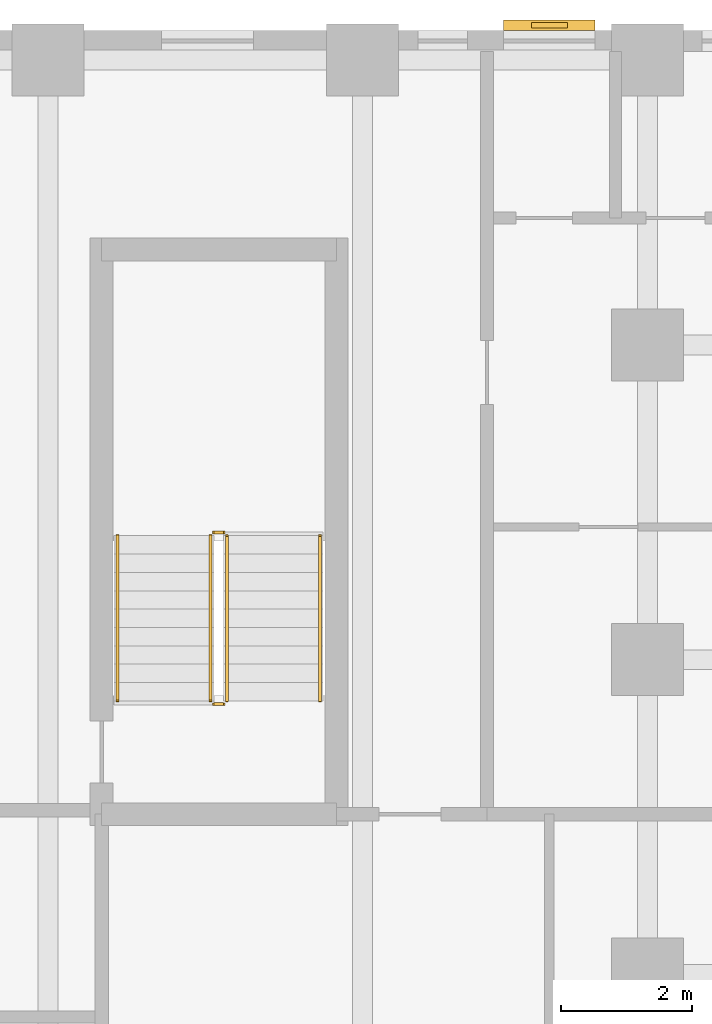
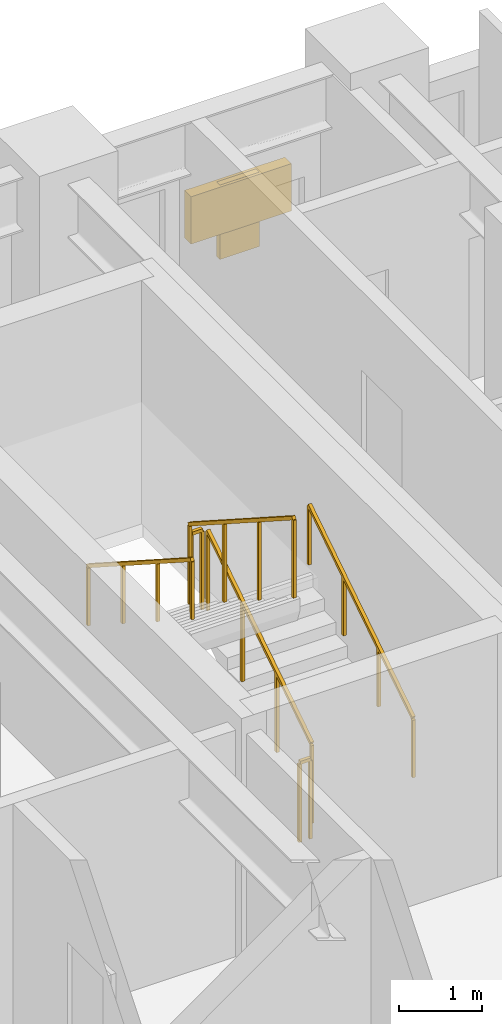
# One storey, part 11 of 11: 6 railings, 2 shading devices.
"""IFC4 building model written with IfcOpenShell, lengths in metres."""

from ifc_helpers import new_model, si_unit, direction, frame, origin, origin_2d, place, context, subcontext, project, spatial, rectangle, extrude, material, type_object, element, save


model = new_model("IFC4")

# Units and contexts
model_context = context("Model", 3, precision=1e-05, world=origin(), true_north=direction((0.0, 1.0)))
body_context = subcontext(model_context, "Body", "Model", "MODEL_VIEW")
ifc_project = project(units=[si_unit("LENGTHUNIT", "METRE"), si_unit("AREAUNIT", "SQUARE_METRE"), si_unit("VOLUMEUNIT", "CUBIC_METRE"), si_unit("PLANEANGLEUNIT", "RADIAN"), si_unit("MASSUNIT", "GRAM", prefix="KILO")], contexts=[model_context])

# Site, building, storey
site_placement = place(None, origin())
site = spatial("IfcSite", under=ifc_project, at=site_placement, CompositionType="ELEMENT")
building_placement = place(site_placement, origin())
building = spatial("IfcBuilding", under=site, at=building_placement, Name="Orvandelia Arch Residences", CompositionType="ELEMENT")
storey_placement = place(building_placement, frame((0.0, 0.0, 46.60009765625)))
storey = spatial("IfcBuildingStorey", under=building, at=storey_placement, Name="L11", CompositionType="ELEMENT", Elevation=46.60009765625)

# Railings
ifc_material_1 = material(Name="Brushed Stainless Steel 304", Category="steel")
railing_type_1 = type_object("IfcRailingType", Name="RL-STAIR-GD1120", PredefinedType="GUARDRAIL", material=ifc_material_1)
railing_1_placement = place(storey_placement, frame((45.929931640625, 37.77001953125, 0.179931640625)))
element("IfcRailing", 1, at=railing_1_placement, inside=storey, type_object=railing_type_1, Name="L11 ST-3 stair guard 1", PredefinedType="GUARDRAIL", context=body_context, shape_type="SweptSolid", body=[
    extrude(rectangle(XDim=0.048095703125, YDim=0.048095703125, at=origin_2d()), frame((0.0, 0.0, 1.17578125), z_axis=(0.0, 0.841199657755, 0.540724639528), x_axis=(-1.0, 0.0, 0.0)), (0.0, 0.0, 1.0), 2.995849609375),
    extrude(rectangle(XDim=0.0419921875, YDim=0.0419921875, at=origin_2d()), origin(), (0.0, 0.0, 1.0), 1.15185546875),
    extrude(rectangle(XDim=0.0419921875, YDim=0.0419921875, at=origin_2d()), frame((0.0, 0.840087890625, 0.5400390625)), (0.0, 0.0, 1.0), 1.15185546875),
    extrude(rectangle(XDim=0.0419921875, YDim=0.0419921875, at=origin_2d()), frame((0.0, 1.679931640625, 1.079833984375)), (0.0, 0.0, 1.0), 1.15185546875),
    extrude(rectangle(XDim=0.0419921875, YDim=0.0419921875, at=origin_2d()), frame((0.0, 2.52001953125, 1.619873046875)), (0.0, 0.0, 1.0), 1.15185546875),
])
railing_2_placement = place(storey_placement, frame((45.8798828125, 40.340087890625, 1.7998046875)))
element("IfcRailing", 2, at=railing_2_placement, inside=storey, type_object=railing_type_1, Name="L11 ST-3 stair guard 2", PredefinedType="GUARDRAIL", context=body_context, shape_type="SweptSolid", body=[
    extrude(rectangle(XDim=0.048095703125, YDim=0.048095703125, at=origin_2d()), frame((0.0, 0.0, 1.17578125), z_axis=(-1.0, 0.0, 0.0), x_axis=(0.0, -1.0, 0.0)), (0.0, 0.0, 1.0), 0.14990234375),
    extrude(rectangle(XDim=0.0419921875, YDim=0.0419921875, at=origin_2d()), origin(), (0.0, 0.0, 1.0), 1.15185546875),
    extrude(rectangle(XDim=0.0419921875, YDim=0.0419921875, at=origin_2d()), frame((-0.14990234375, 0.0, 0.0)), (0.0, 0.0, 1.0), 1.15185546875),
])
railing_3_placement = place(storey_placement, frame((45.679931640625, 40.2900390625, 1.97998046875)))
element("IfcRailing", 3, at=railing_3_placement, inside=storey, type_object=railing_type_1, Name="L11 ST-3 stair guard 3", PredefinedType="GUARDRAIL", context=body_context, shape_type="SweptSolid", body=[
    extrude(rectangle(XDim=0.048095703125, YDim=0.048095703125, at=origin_2d()), frame((0.0, 0.0, 1.17578125), z_axis=(0.0, -0.841199657755, 0.540724639528), x_axis=(1.0, 0.0, 0.0)), (0.0, 0.0, 1.0), 2.995849609375),
    extrude(rectangle(XDim=0.0419921875, YDim=0.0419921875, at=origin_2d()), origin(), (0.0, 0.0, 1.0), 1.15185546875),
    extrude(rectangle(XDim=0.0419921875, YDim=0.0419921875, at=origin_2d()), frame((0.0, -0.840087890625, 0.5400390625)), (0.0, 0.0, 1.0), 1.15185546875),
    extrude(rectangle(XDim=0.0419921875, YDim=0.0419921875, at=origin_2d()), frame((0.0, -1.679931640625, 1.079833984375)), (0.0, 0.0, 1.0), 1.15185546875),
    extrude(rectangle(XDim=0.0419921875, YDim=0.0419921875, at=origin_2d()), frame((0.0, -2.52001953125, 1.619873046875)), (0.0, 0.0, 1.0), 1.15185546875),
])
railing_4_placement = place(storey_placement, frame((45.8798828125, 37.719970703125, 0.0)))
element("IfcRailing", 4, at=railing_4_placement, inside=storey, type_object=railing_type_1, Name="L11 ST-3 stair guard 4", PredefinedType="GUARDRAIL", context=body_context, shape_type="SweptSolid", body=[
    extrude(rectangle(XDim=0.048095703125, YDim=0.048095703125, at=origin_2d()), frame((0.0, 0.0, 1.17578125), z_axis=(-1.0, 0.0, 0.0), x_axis=(0.0, -1.0, 0.0)), (0.0, 0.0, 1.0), 0.14990234375),
    extrude(rectangle(XDim=0.0419921875, YDim=0.0419921875, at=origin_2d()), origin(), (0.0, 0.0, 1.0), 1.15185546875),
    extrude(rectangle(XDim=0.0419921875, YDim=0.0419921875, at=origin_2d()), frame((-0.14990234375, 0.0, 0.0)), (0.0, 0.0, 1.0), 1.15185546875),
])
railing_type_2 = type_object("IfcRailingType", Name="RL-STAIR-HR920", PredefinedType="HANDRAIL", material=ifc_material_1)
railing_5_placement = place(storey_placement, frame((47.35009765625, 37.77001953125, 0.35986328125)))
element("IfcRailing", 5, at=railing_5_placement, inside=storey, type_object=railing_type_2, Name="L11 ST-3 stair handrail 1", PredefinedType="HANDRAIL", context=body_context, shape_type="SweptSolid", body=[
    extrude(rectangle(XDim=0.048095703125, YDim=0.048095703125, at=origin_2d()), frame((0.0, 0.0, 0.8759765625), z_axis=(0.0, 0.841162588446, 0.540782303519), x_axis=(-1.0, 0.0, 0.0)), (0.0, 0.0, 1.0), 2.995849609375),
    extrude(rectangle(XDim=0.0419921875, YDim=0.0419921875, at=origin_2d()), origin(), (0.0, 0.0, 1.0), 0.851806640625),
    extrude(rectangle(XDim=0.0419921875, YDim=0.0419921875, at=origin_2d()), frame((0.0, 0.840087890625, 0.5400390625)), (0.0, 0.0, 1.0), 0.851806640625),
    extrude(rectangle(XDim=0.0419921875, YDim=0.0419921875, at=origin_2d()), frame((0.0, 1.679931640625, 1.080078125)), (0.0, 0.0, 1.0), 0.851806640625),
    extrude(rectangle(XDim=0.0419921875, YDim=0.0419921875, at=origin_2d()), frame((0.0, 2.52001953125, 1.6201171875)), (0.0, 0.0, 1.0), 0.851806640625),
])
railing_6_placement = place(storey_placement, frame((44.260009765625, 40.2900390625, 2.159912109375)))
element("IfcRailing", 6, at=railing_6_placement, inside=storey, type_object=railing_type_2, Name="L11 ST-3 stair handrail 2", PredefinedType="HANDRAIL", context=body_context, shape_type="SweptSolid", body=[
    extrude(rectangle(XDim=0.048095703125, YDim=0.048095703125, at=origin_2d()), frame((0.0, 0.0, 0.8759765625), z_axis=(0.0, -0.841199657755, 0.540724639528), x_axis=(1.0, 0.0, 0.0)), (0.0, 0.0, 1.0), 2.995849609375),
    extrude(rectangle(XDim=0.0419921875, YDim=0.0419921875, at=origin_2d()), origin(), (0.0, 0.0, 1.0), 0.851806640625),
    extrude(rectangle(XDim=0.0419921875, YDim=0.0419921875, at=origin_2d()), frame((0.0, -0.840087890625, 0.5400390625)), (0.0, 0.0, 1.0), 0.851806640625),
    extrude(rectangle(XDim=0.0419921875, YDim=0.0419921875, at=origin_2d()), frame((0.0, -1.679931640625, 1.079833984375)), (0.0, 0.0, 1.0), 0.851806640625),
    extrude(rectangle(XDim=0.0419921875, YDim=0.0419921875, at=origin_2d()), frame((0.0, -2.52001953125, 1.619873046875)), (0.0, 0.0, 1.0), 0.851806640625),
])

# Shading devices
ifc_material_2 = material(Name="Anodised Champagne-Bronze Extruded Aluminium", Category="aluminium")
shading_device_type_1 = type_object("IfcShadingDeviceType", Name="SHD-JALOUSIE-SCREEN", PredefinedType="JALOUSIE", material=ifc_material_2)
shading_device_1_placement = place(storey_placement, frame((50.85009765625, 48.080078125, 1.0498046875), z_axis=(0.0, 0.0, 1.0), x_axis=(1.0, 0.0, 0.0)))
element("IfcShadingDevice", 7, at=shading_device_1_placement, inside=storey, type_object=shading_device_type_1, Name="Bronze Jalousie Sun-Shade L11-003", PredefinedType="JALOUSIE", context=body_context, shape_type="SweptSolid", body=[
    extrude(rectangle(XDim=1.39990234375, YDim=0.159912109375, at=origin_2d()), origin(), (0.0, 0.0, 1.0), 0.699951171875),
])
ifc_material_3 = material(Name="Marine-Grade Perforated Aluminium Storm Shutter", Category="aluminium")
shading_device_type_2 = type_object("IfcShadingDeviceType", Name="SHD-STORM-SHUTTER", PredefinedType="SHUTTER", material=ifc_material_3)
shading_device_2_placement = place(storey_placement, frame((50.85009765625, 48.080078125, 0.64990234375), z_axis=(0.0, 0.0, 1.0), x_axis=(1.0, 0.0, 0.0)))
element("IfcShadingDevice", 8, at=shading_device_2_placement, inside=storey, type_object=shading_device_type_2, Name="Operable Typhoon Storm Shutter L11-003", PredefinedType="SHUTTER", context=body_context, shape_type="SweptSolid", body=[
    extrude(rectangle(XDim=0.550048828125, YDim=0.080078125, at=origin_2d()), origin(), (0.0, 0.0, 1.0), 1.10009765625),
])

save(model, "model.ifc")
